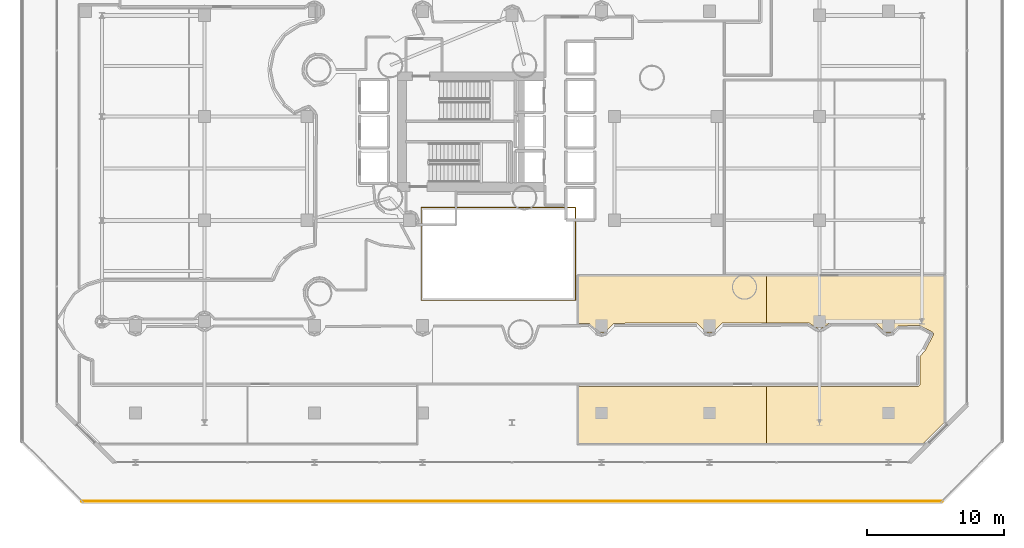
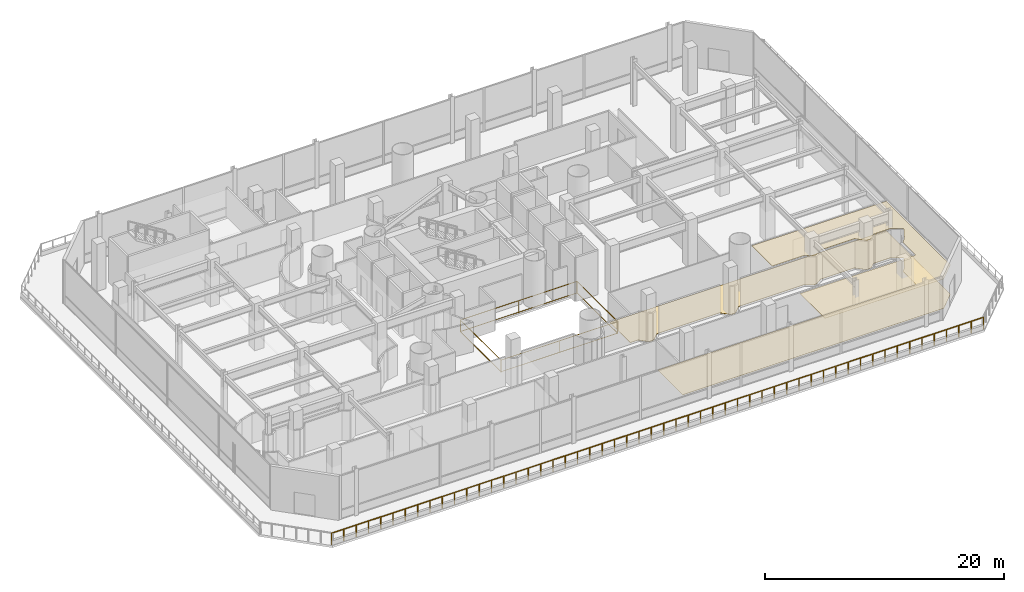
# One storey, part 34 of 39: 2 coverings, 2 railings.
"""IFC4 building model written with IfcOpenShell, lengths in metres."""

from ifc_helpers import new_model, si_unit, direction, frame, origin, origin_2d, place, context, subcontext, project, spatial, polyline, rectangle, outline, extrude, material, layer, layer_set, type_object, element, save


model = new_model("IFC4")

# Units and contexts
model_context = context("Model", 3, precision=1e-05, world=origin(), true_north=direction((0.0, 1.0)))
body_context = subcontext(model_context, "Body", "Model", "MODEL_VIEW")
ifc_project = project(units=[si_unit("LENGTHUNIT", "METRE"), si_unit("AREAUNIT", "SQUARE_METRE"), si_unit("VOLUMEUNIT", "CUBIC_METRE"), si_unit("PLANEANGLEUNIT", "RADIAN"), si_unit("MASSUNIT", "GRAM", prefix="KILO")], contexts=[model_context])

# Site, building, storey
site_placement = place(None, origin())
site = spatial("IfcSite", under=ifc_project, at=site_placement, CompositionType="ELEMENT")
building_placement = place(site_placement, origin())
building = spatial("IfcBuilding", under=site, at=building_placement, Name="Qianvela Tower", CompositionType="ELEMENT")
storey_placement = place(building_placement, frame((0.0, 0.0, 15.800048828125)))
storey = spatial("IfcBuildingStorey", under=building, at=storey_placement, Name="L03", CompositionType="ELEMENT", Elevation=15.800048828125)

# Coverings
ifc_material_1 = material(Name="Perforated Mineral Acoustic Ceiling Tile")
ifc_layer_1 = layer(ifc_material_1, 0.02490234375)
ifc_layer_set_1 = layer_set([ifc_layer_1], Name="Perforated Mineral Acoustic Ceiling Tile")
covering_type_1 = type_object("IfcCoveringType", Name="COV-CEIL-ACOUSTIC-25", PredefinedType="CEILING", material=ifc_layer_set_1)
covering_1_placement = place(storey_placement, frame((0.0, 0.0, 2.994873046875)))
element("IfcCovering", 1, at=covering_1_placement, inside=storey, type_object=covering_type_1, Name="L03 Acoustic Ceiling Bay 2 L03 Maker Craft Workshop", PredefinedType="CEILING", context=body_context, shape_type="SweptSolid", body=[
    extrude(outline(polyline([(69.1201171875, 7.3876953125), (67.6123046875, 5.8798828125), (56.124755859375, 5.8798828125), (56.124755859375, 10.05810546875), (67.2060546875, 10.058349609375), (67.21435546875, 10.05859375), (67.22265625, 10.06005859375), (67.230712890625, 10.062255859375), (67.238525390625, 10.065185546875), (67.245849609375, 10.06884765625), (67.2529296875, 10.073486328125), (67.259521484375, 10.07861328125), (67.265380859375, 10.084716796875), (67.3212890625, 10.146240234375), (67.325927734375, 10.152099609375), (67.330078125, 10.157958984375), (67.333740234375, 10.16455078125), (67.336669921875, 10.171142578125), (67.339111328125, 10.17822265625), (67.340576171875, 10.185302734375), (67.341796875, 10.192626953125), (67.342041015625, 10.199951171875), (67.342041015625, 12.22607421875), (67.734619140625, 12.69140625), (67.73974609375, 12.6982421875), (67.744140625, 12.70556640625), (68.347900390625, 13.85009765625), (68.3515625, 13.857421875), (68.35400390625, 13.865234375), (68.35595703125, 13.873291015625), (68.35693359375, 13.88134765625), (68.357177734375, 13.889404296875), (68.356689453125, 13.897705078125), (68.35498046875, 13.90576171875), (68.352783203125, 13.91357421875), (68.349609375, 13.921142578125), (68.345947265625, 13.928466796875), (68.31298828125, 13.983154296875), (68.30908203125, 13.9892578125), (68.304443359375, 13.994873046875), (68.29931640625, 14.000244140625), (68.2939453125, 14.0048828125), (68.2880859375, 14.00927734375), (68.28173828125, 14.0126953125), (67.385986328125, 14.483154296875), (67.37890625, 14.486328125), (67.37158203125, 14.489013671875), (67.364013671875, 14.490966796875), (67.3564453125, 14.491943359375), (67.3486328125, 14.4921875), (65.80810546875, 14.4873046875), (65.80029296875, 14.48681640625), (65.792724609375, 14.48583984375), (65.785400390625, 14.48388671875), (65.778076171875, 14.4814453125), (65.771240234375, 14.478271484375), (65.7646484375, 14.474365234375), (65.75830078125, 14.469970703125), (65.752685546875, 14.46484375), (65.337158203125, 14.063720703125), (65.147216796875, 13.98486328125), (64.942138671875, 13.98486328125), (64.752197265625, 14.0634765625), (64.099609375, 14.6953125), (64.09375, 14.700439453125), (64.08740234375, 14.705078125), (64.080810546875, 14.708984375), (64.07373046875, 14.712158203125), (64.06640625, 14.714599609375), (64.05908203125, 14.716552734375), (64.051513671875, 14.717529296875), (64.043701171875, 14.718017578125), (60.8291015625, 14.709716796875), (60.8212890625, 14.709228515625), (60.813720703125, 14.7080078125), (60.806396484375, 14.706298828125), (60.799072265625, 14.70361328125), (60.7919921875, 14.700439453125), (60.785400390625, 14.696533203125), (60.201416015625, 14.314697265625), (60.0, 14.27490234375), (59.798583984375, 14.314697265625), (59.220458984375, 14.6923828125), (59.2138671875, 14.6962890625), (59.206787109375, 14.69970703125), (59.199462890625, 14.7021484375), (59.19189453125, 14.7041015625), (59.184326171875, 14.705078125), (59.176513671875, 14.705322265625), (56.124755859375, 14.69775390625), (56.124755859375, 18.1201171875), (69.1201171875, 18.1201171875), (69.1201171875, 7.3876953125)])), origin(), (0.0, 0.0, 1.0), 0.025146484375),
])
ifc_material_2 = material(Name="Engineered Acoustic Oak Timber Flooring", Category="wood")
ifc_layer_2 = layer(ifc_material_2, 0.02001953125)
ifc_layer_set_2 = layer_set([ifc_layer_2], Name="Engineered Acoustic Oak Timber Flooring")
covering_type_2 = type_object("IfcCoveringType", Name="COV-FLOOR-OAK-20", PredefinedType="FLOORING", material=ifc_layer_set_2)
covering_2_placement = place(storey_placement, origin())
element("IfcCovering", 2, at=covering_2_placement, inside=storey, type_object=covering_type_2, Name="L03 Finish Flooring L03 Maker Craft Workshop", PredefinedType="FLOORING", context=body_context, shape_type="SweptSolid", body=[
    extrude(outline(polyline([(69.1201171875, 18.1201171875), (69.1201171875, 7.3876953125), (67.6123046875, 5.8798828125), (42.3798828125, 5.8798828125), (42.3798828125, 10.05810546875), (67.2060546875, 10.058349609375), (67.21435546875, 10.05859375), (67.22265625, 10.06005859375), (67.230712890625, 10.062255859375), (67.238525390625, 10.065185546875), (67.245849609375, 10.06884765625), (67.2529296875, 10.073486328125), (67.259521484375, 10.07861328125), (67.265380859375, 10.084716796875), (67.3212890625, 10.146240234375), (67.325927734375, 10.152099609375), (67.330078125, 10.157958984375), (67.333740234375, 10.16455078125), (67.336669921875, 10.171142578125), (67.339111328125, 10.17822265625), (67.340576171875, 10.185302734375), (67.341796875, 10.192626953125), (67.342041015625, 10.199951171875), (67.342041015625, 12.22607421875), (67.734619140625, 12.69140625), (67.73974609375, 12.6982421875), (67.744140625, 12.70556640625), (68.347900390625, 13.85009765625), (68.3515625, 13.857421875), (68.35400390625, 13.865234375), (68.35595703125, 13.873291015625), (68.35693359375, 13.88134765625), (68.357177734375, 13.889404296875), (68.356689453125, 13.897705078125), (68.35498046875, 13.90576171875), (68.352783203125, 13.91357421875), (68.349609375, 13.921142578125), (68.345947265625, 13.928466796875), (68.31298828125, 13.983154296875), (68.30908203125, 13.9892578125), (68.304443359375, 13.994873046875), (68.29931640625, 14.000244140625), (68.2939453125, 14.0048828125), (68.2880859375, 14.00927734375), (68.28173828125, 14.0126953125), (67.385986328125, 14.483154296875), (67.37890625, 14.486328125), (67.37158203125, 14.489013671875), (67.364013671875, 14.490966796875), (67.3564453125, 14.491943359375), (67.3486328125, 14.4921875), (65.80810546875, 14.4873046875), (65.80029296875, 14.48681640625), (65.792724609375, 14.48583984375), (65.785400390625, 14.48388671875), (65.778076171875, 14.4814453125), (65.771240234375, 14.478271484375), (65.7646484375, 14.474365234375), (65.75830078125, 14.469970703125), (65.752685546875, 14.46484375), (65.337158203125, 14.063720703125), (65.147216796875, 13.98486328125), (64.942138671875, 13.98486328125), (64.752197265625, 14.0634765625), (64.099609375, 14.6953125), (64.09375, 14.700439453125), (64.08740234375, 14.705078125), (64.080810546875, 14.708984375), (64.07373046875, 14.712158203125), (64.06640625, 14.714599609375), (64.05908203125, 14.716552734375), (64.051513671875, 14.717529296875), (64.043701171875, 14.718017578125), (60.8291015625, 14.709716796875), (60.8212890625, 14.709228515625), (60.813720703125, 14.7080078125), (60.806396484375, 14.706298828125), (60.799072265625, 14.70361328125), (60.7919921875, 14.700439453125), (60.785400390625, 14.696533203125), (60.201416015625, 14.314697265625), (60.0, 14.27490234375), (59.798583984375, 14.314697265625), (59.220458984375, 14.6923828125), (59.2138671875, 14.6962890625), (59.206787109375, 14.69970703125), (59.199462890625, 14.7021484375), (59.19189453125, 14.7041015625), (59.184326171875, 14.705078125), (59.176513671875, 14.705322265625), (52.926513671875, 14.689697265625), (52.918701171875, 14.689453125), (52.9111328125, 14.688232421875), (52.90380859375, 14.6865234375), (52.896484375, 14.683837890625), (52.8896484375, 14.6806640625), (52.8828125, 14.6767578125), (52.876708984375, 14.67236328125), (52.87109375, 14.667236328125), (52.247802734375, 14.0634765625), (52.05126953125, 13.982177734375), (51.955322265625, 13.97265625), (51.859619140625, 13.982177734375), (51.6630859375, 14.063720703125), (51.04443359375, 14.662353515625), (51.03857421875, 14.66748046875), (51.032470703125, 14.672119140625), (51.025634765625, 14.67578125), (51.018798828125, 14.67919921875), (51.011474609375, 14.681640625), (51.00390625, 14.68359375), (50.996337890625, 14.6845703125), (50.988525390625, 14.68505859375), (45.001953125, 14.67041015625), (44.994384765625, 14.669921875), (44.98681640625, 14.668701171875), (44.979248046875, 14.6669921875), (44.97216796875, 14.66455078125), (44.965087890625, 14.661376953125), (44.95849609375, 14.657470703125), (44.952392578125, 14.653076171875), (44.94677734375, 14.64794921875), (44.337158203125, 14.063720703125), (44.144287109375, 13.983642578125), (43.945068359375, 13.983642578125), (43.752685546875, 14.0634765625), (43.171630859375, 14.6376953125), (43.166015625, 14.642822265625), (43.15966796875, 14.6474609375), (43.153076171875, 14.651611328125), (43.14599609375, 14.65478515625), (43.138671875, 14.657470703125), (43.131103515625, 14.6591796875), (43.123291015625, 14.660400390625), (43.11572265625, 14.660888671875), (42.3798828125, 14.663330078125), (42.3798828125, 18.1201171875), (69.1201171875, 18.1201171875)])), origin(), (0.0, 0.0, 1.0), 0.02001953125),
])

# Railings
ifc_material_3 = material(Name="Laminated Safety Glass and Stainless Steel 316", Category="steel")
railing_type_1 = type_object("IfcRailingType", Name="RL-ATRIUM-GUARD-1250", PredefinedType="GUARDRAIL", material=ifc_material_3)
railing_1_placement = place(storey_placement, frame((30.860107421875, 16.360107421875, 0.0)))
element("IfcRailing", 3, at=railing_1_placement, inside=storey, type_object=railing_type_1, Name="L03 Atrium Edge Guardrail 1", PredefinedType="GUARDRAIL", context=body_context, shape_type="SweptSolid", body=[
    extrude(rectangle(XDim=0.050048828125, YDim=0.0400390625, at=origin_2d()), frame((0.0, 0.0, 1.22998046875), z_axis=(0.0, 1.0, 0.0), x_axis=(-1.0, 0.0, 0.0)), (0.0, 0.0, 1.0), 6.77978515625),
    extrude(rectangle(XDim=0.050048828125, YDim=0.0400390625, at=origin_2d()), frame((0.0, 0.0, 0.050048828125), z_axis=(0.0, 1.0, 0.0), x_axis=(-1.0, 0.0, 0.0)), (0.0, 0.0, 1.0), 6.77978515625),
    extrude(rectangle(XDim=0.050048828125, YDim=0.0400390625, at=origin_2d()), frame((0.0, 6.77978515625, 1.22998046875), z_axis=(1.0, 0.0, 0.0), x_axis=(0.0, 1.0, 0.0)), (0.0, 0.0, 1.0), 11.27978515625),
    extrude(rectangle(XDim=0.050048828125, YDim=0.0400390625, at=origin_2d()), frame((0.0, 6.77978515625, 0.050048828125), z_axis=(1.0, 0.0, 0.0), x_axis=(0.0, 1.0, 0.0)), (0.0, 0.0, 1.0), 11.27978515625),
    extrude(rectangle(XDim=0.050048828125, YDim=0.0400390625, at=origin_2d()), frame((11.27978515625, 6.77978515625, 1.22998046875), z_axis=(0.0, -1.0, 0.0), x_axis=(1.0, 0.0, 0.0)), (0.0, 0.0, 1.0), 6.77978515625),
    extrude(rectangle(XDim=0.050048828125, YDim=0.0400390625, at=origin_2d()), frame((11.27978515625, 6.77978515625, 0.050048828125), z_axis=(0.0, -1.0, 0.0), x_axis=(1.0, 0.0, 0.0)), (0.0, 0.0, 1.0), 6.77978515625),
    extrude(rectangle(XDim=0.050048828125, YDim=0.0400390625, at=origin_2d()), frame((11.27978515625, 0.0, 1.22998046875), z_axis=(-1.0, 0.0, 0.0), x_axis=(0.0, -1.0, 0.0)), (0.0, 0.0, 1.0), 11.27978515625),
    extrude(rectangle(XDim=0.050048828125, YDim=0.0400390625, at=origin_2d()), frame((11.27978515625, 0.0, 0.050048828125), z_axis=(-1.0, 0.0, 0.0), x_axis=(0.0, -1.0, 0.0)), (0.0, 0.0, 1.0), 11.27978515625),
    extrude(rectangle(XDim=0.050048828125, YDim=0.050048828125, at=origin_2d()), origin(), (0.0, 0.0, 1.0), 1.2099609375),
    extrude(rectangle(XDim=0.050048828125, YDim=0.050048828125, at=origin_2d()), frame((0.0, 6.77978515625, 0.0)), (0.0, 0.0, 1.0), 1.2099609375),
    extrude(rectangle(XDim=0.050048828125, YDim=0.050048828125, at=origin_2d()), frame((5.639892578125, 6.77978515625, 0.0)), (0.0, 0.0, 1.0), 1.2099609375),
    extrude(rectangle(XDim=0.050048828125, YDim=0.050048828125, at=origin_2d()), frame((11.27978515625, 6.77978515625, 0.0)), (0.0, 0.0, 1.0), 1.2099609375),
    extrude(rectangle(XDim=0.050048828125, YDim=0.050048828125, at=origin_2d()), frame((11.27978515625, 0.0, 0.0)), (0.0, 0.0, 1.0), 1.2099609375),
    extrude(rectangle(XDim=0.050048828125, YDim=0.050048828125, at=origin_2d()), frame((5.639892578125, 0.0, 0.0)), (0.0, 0.0, 1.0), 1.2099609375),
])
ifc_material_4 = material(Name="Brushed Stainless Steel 316 and Laminated Glass", Category="steel")
railing_type_2 = type_object("IfcRailingType", Name="RL-EXT-GUARD-1200", PredefinedType="GUARDRAIL", material=ifc_material_4)
railing_2_placement = place(storey_placement, frame((6.0, 1.64990234375, 0.0)))
element("IfcRailing", 4, at=railing_2_placement, inside=storey, type_object=railing_type_2, Name="L03 Podium Terrace Guardrail 1", PredefinedType="GUARDRAIL", context=body_context, shape_type="SweptSolid", body=[
    extrude(rectangle(XDim=0.050048828125, YDim=0.0400390625, at=origin_2d()), frame((0.0, 0.0, 1.179931640625), z_axis=(1.0, 0.0, 0.0), x_axis=(0.0, 1.0, 0.0)), (0.0, 0.0, 1.0), 63.0),
    extrude(rectangle(XDim=0.050048828125, YDim=0.050048828125, at=origin_2d()), origin(), (0.0, 0.0, 1.0), 1.159912109375),
    extrude(rectangle(XDim=0.050048828125, YDim=0.050048828125, at=origin_2d()), frame((1.188720703125, 0.0, 0.0)), (0.0, 0.0, 1.0), 1.159912109375),
    extrude(rectangle(XDim=0.050048828125, YDim=0.050048828125, at=origin_2d()), frame((2.37744140625, 0.0, 0.0)), (0.0, 0.0, 1.0), 1.159912109375),
    extrude(rectangle(XDim=0.050048828125, YDim=0.050048828125, at=origin_2d()), frame((3.56591796875, 0.0, 0.0)), (0.0, 0.0, 1.0), 1.159912109375),
    extrude(rectangle(XDim=0.050048828125, YDim=0.050048828125, at=origin_2d()), frame((4.754638671875, 0.0, 0.0)), (0.0, 0.0, 1.0), 1.159912109375),
    extrude(rectangle(XDim=0.050048828125, YDim=0.050048828125, at=origin_2d()), frame((5.943359375, 0.0, 0.0)), (0.0, 0.0, 1.0), 1.159912109375),
    extrude(rectangle(XDim=0.050048828125, YDim=0.050048828125, at=origin_2d()), frame((7.132080078125, 0.0, 0.0)), (0.0, 0.0, 1.0), 1.159912109375),
    extrude(rectangle(XDim=0.050048828125, YDim=0.050048828125, at=origin_2d()), frame((8.32080078125, 0.0, 0.0)), (0.0, 0.0, 1.0), 1.159912109375),
    extrude(rectangle(XDim=0.050048828125, YDim=0.050048828125, at=origin_2d()), frame((9.509521484375, 0.0, 0.0)), (0.0, 0.0, 1.0), 1.159912109375),
    extrude(rectangle(XDim=0.050048828125, YDim=0.050048828125, at=origin_2d()), frame((10.697998046875, 0.0, 0.0)), (0.0, 0.0, 1.0), 1.159912109375),
    extrude(rectangle(XDim=0.050048828125, YDim=0.050048828125, at=origin_2d()), frame((11.88671875, 0.0, 0.0)), (0.0, 0.0, 1.0), 1.159912109375),
    extrude(rectangle(XDim=0.050048828125, YDim=0.050048828125, at=origin_2d()), frame((13.075439453125, 0.0, 0.0)), (0.0, 0.0, 1.0), 1.159912109375),
    extrude(rectangle(XDim=0.050048828125, YDim=0.050048828125, at=origin_2d()), frame((14.26416015625, 0.0, 0.0)), (0.0, 0.0, 1.0), 1.159912109375),
    extrude(rectangle(XDim=0.050048828125, YDim=0.050048828125, at=origin_2d()), frame((15.452880859375, 0.0, 0.0)), (0.0, 0.0, 1.0), 1.159912109375),
    extrude(rectangle(XDim=0.050048828125, YDim=0.050048828125, at=origin_2d()), frame((16.6416015625, 0.0, 0.0)), (0.0, 0.0, 1.0), 1.159912109375),
    extrude(rectangle(XDim=0.050048828125, YDim=0.050048828125, at=origin_2d()), frame((17.830078125, 0.0, 0.0)), (0.0, 0.0, 1.0), 1.159912109375),
    extrude(rectangle(XDim=0.050048828125, YDim=0.050048828125, at=origin_2d()), frame((19.018798828125, 0.0, 0.0)), (0.0, 0.0, 1.0), 1.159912109375),
    extrude(rectangle(XDim=0.050048828125, YDim=0.050048828125, at=origin_2d()), frame((20.20751953125, 0.0, 0.0)), (0.0, 0.0, 1.0), 1.159912109375),
    extrude(rectangle(XDim=0.050048828125, YDim=0.050048828125, at=origin_2d()), frame((21.396240234375, 0.0, 0.0)), (0.0, 0.0, 1.0), 1.159912109375),
    extrude(rectangle(XDim=0.050048828125, YDim=0.050048828125, at=origin_2d()), frame((22.5849609375, 0.0, 0.0)), (0.0, 0.0, 1.0), 1.159912109375),
    extrude(rectangle(XDim=0.050048828125, YDim=0.050048828125, at=origin_2d()), frame((23.773681640625, 0.0, 0.0)), (0.0, 0.0, 1.0), 1.159912109375),
    extrude(rectangle(XDim=0.050048828125, YDim=0.050048828125, at=origin_2d()), frame((24.962158203125, 0.0, 0.0)), (0.0, 0.0, 1.0), 1.159912109375),
    extrude(rectangle(XDim=0.050048828125, YDim=0.050048828125, at=origin_2d()), frame((26.15087890625, 0.0, 0.0)), (0.0, 0.0, 1.0), 1.159912109375),
    extrude(rectangle(XDim=0.050048828125, YDim=0.050048828125, at=origin_2d()), frame((27.339599609375, 0.0, 0.0)), (0.0, 0.0, 1.0), 1.159912109375),
    extrude(rectangle(XDim=0.050048828125, YDim=0.050048828125, at=origin_2d()), frame((28.5283203125, 0.0, 0.0)), (0.0, 0.0, 1.0), 1.159912109375),
    extrude(rectangle(XDim=0.050048828125, YDim=0.050048828125, at=origin_2d()), frame((29.717041015625, 0.0, 0.0)), (0.0, 0.0, 1.0), 1.159912109375),
    extrude(rectangle(XDim=0.050048828125, YDim=0.050048828125, at=origin_2d()), frame((30.90576171875, 0.0, 0.0)), (0.0, 0.0, 1.0), 1.159912109375),
    extrude(rectangle(XDim=0.050048828125, YDim=0.050048828125, at=origin_2d()), frame((32.09423828125, 0.0, 0.0)), (0.0, 0.0, 1.0), 1.159912109375),
    extrude(rectangle(XDim=0.050048828125, YDim=0.050048828125, at=origin_2d()), frame((33.282958984375, 0.0, 0.0)), (0.0, 0.0, 1.0), 1.159912109375),
    extrude(rectangle(XDim=0.050048828125, YDim=0.050048828125, at=origin_2d()), frame((34.4716796875, 0.0, 0.0)), (0.0, 0.0, 1.0), 1.159912109375),
    extrude(rectangle(XDim=0.050048828125, YDim=0.050048828125, at=origin_2d()), frame((35.660400390625, 0.0, 0.0)), (0.0, 0.0, 1.0), 1.159912109375),
    extrude(rectangle(XDim=0.050048828125, YDim=0.050048828125, at=origin_2d()), frame((36.84912109375, 0.0, 0.0)), (0.0, 0.0, 1.0), 1.159912109375),
    extrude(rectangle(XDim=0.050048828125, YDim=0.050048828125, at=origin_2d()), frame((38.037841796875, 0.0, 0.0)), (0.0, 0.0, 1.0), 1.159912109375),
    extrude(rectangle(XDim=0.050048828125, YDim=0.050048828125, at=origin_2d()), frame((39.226318359375, 0.0, 0.0)), (0.0, 0.0, 1.0), 1.159912109375),
    extrude(rectangle(XDim=0.050048828125, YDim=0.050048828125, at=origin_2d()), frame((40.4150390625, 0.0, 0.0)), (0.0, 0.0, 1.0), 1.159912109375),
    extrude(rectangle(XDim=0.050048828125, YDim=0.050048828125, at=origin_2d()), frame((41.603759765625, 0.0, 0.0)), (0.0, 0.0, 1.0), 1.159912109375),
    extrude(rectangle(XDim=0.050048828125, YDim=0.050048828125, at=origin_2d()), frame((42.79248046875, 0.0, 0.0)), (0.0, 0.0, 1.0), 1.159912109375),
    extrude(rectangle(XDim=0.050048828125, YDim=0.050048828125, at=origin_2d()), frame((43.981201171875, 0.0, 0.0)), (0.0, 0.0, 1.0), 1.159912109375),
    extrude(rectangle(XDim=0.050048828125, YDim=0.050048828125, at=origin_2d()), frame((45.169921875, 0.0, 0.0)), (0.0, 0.0, 1.0), 1.159912109375),
    extrude(rectangle(XDim=0.050048828125, YDim=0.050048828125, at=origin_2d()), frame((46.3583984375, 0.0, 0.0)), (0.0, 0.0, 1.0), 1.159912109375),
    extrude(rectangle(XDim=0.050048828125, YDim=0.050048828125, at=origin_2d()), frame((47.547119140625, 0.0, 0.0)), (0.0, 0.0, 1.0), 1.159912109375),
    extrude(rectangle(XDim=0.050048828125, YDim=0.050048828125, at=origin_2d()), frame((48.73583984375, 0.0, 0.0)), (0.0, 0.0, 1.0), 1.159912109375),
    extrude(rectangle(XDim=0.050048828125, YDim=0.050048828125, at=origin_2d()), frame((49.924560546875, 0.0, 0.0)), (0.0, 0.0, 1.0), 1.159912109375),
    extrude(rectangle(XDim=0.050048828125, YDim=0.050048828125, at=origin_2d()), frame((51.11328125, 0.0, 0.0)), (0.0, 0.0, 1.0), 1.159912109375),
    extrude(rectangle(XDim=0.050048828125, YDim=0.050048828125, at=origin_2d()), frame((52.302001953125, 0.0, 0.0)), (0.0, 0.0, 1.0), 1.159912109375),
    extrude(rectangle(XDim=0.050048828125, YDim=0.050048828125, at=origin_2d()), frame((53.490478515625, 0.0, 0.0)), (0.0, 0.0, 1.0), 1.159912109375),
    extrude(rectangle(XDim=0.050048828125, YDim=0.050048828125, at=origin_2d()), frame((54.67919921875, 0.0, 0.0)), (0.0, 0.0, 1.0), 1.159912109375),
    extrude(rectangle(XDim=0.050048828125, YDim=0.050048828125, at=origin_2d()), frame((55.867919921875, 0.0, 0.0)), (0.0, 0.0, 1.0), 1.159912109375),
    extrude(rectangle(XDim=0.050048828125, YDim=0.050048828125, at=origin_2d()), frame((57.056640625, 0.0, 0.0)), (0.0, 0.0, 1.0), 1.159912109375),
    extrude(rectangle(XDim=0.050048828125, YDim=0.050048828125, at=origin_2d()), frame((58.245361328125, 0.0, 0.0)), (0.0, 0.0, 1.0), 1.159912109375),
    extrude(rectangle(XDim=0.050048828125, YDim=0.050048828125, at=origin_2d()), frame((59.43408203125, 0.0, 0.0)), (0.0, 0.0, 1.0), 1.159912109375),
    extrude(rectangle(XDim=0.050048828125, YDim=0.050048828125, at=origin_2d()), frame((60.62255859375, 0.0, 0.0)), (0.0, 0.0, 1.0), 1.159912109375),
    extrude(rectangle(XDim=0.050048828125, YDim=0.050048828125, at=origin_2d()), frame((61.811279296875, 0.0, 0.0)), (0.0, 0.0, 1.0), 1.159912109375),
    extrude(rectangle(XDim=0.050048828125, YDim=0.050048828125, at=origin_2d()), frame((63.0, 0.0, 0.0)), (0.0, 0.0, 1.0), 1.159912109375),
])

save(model, "model.ifc")
